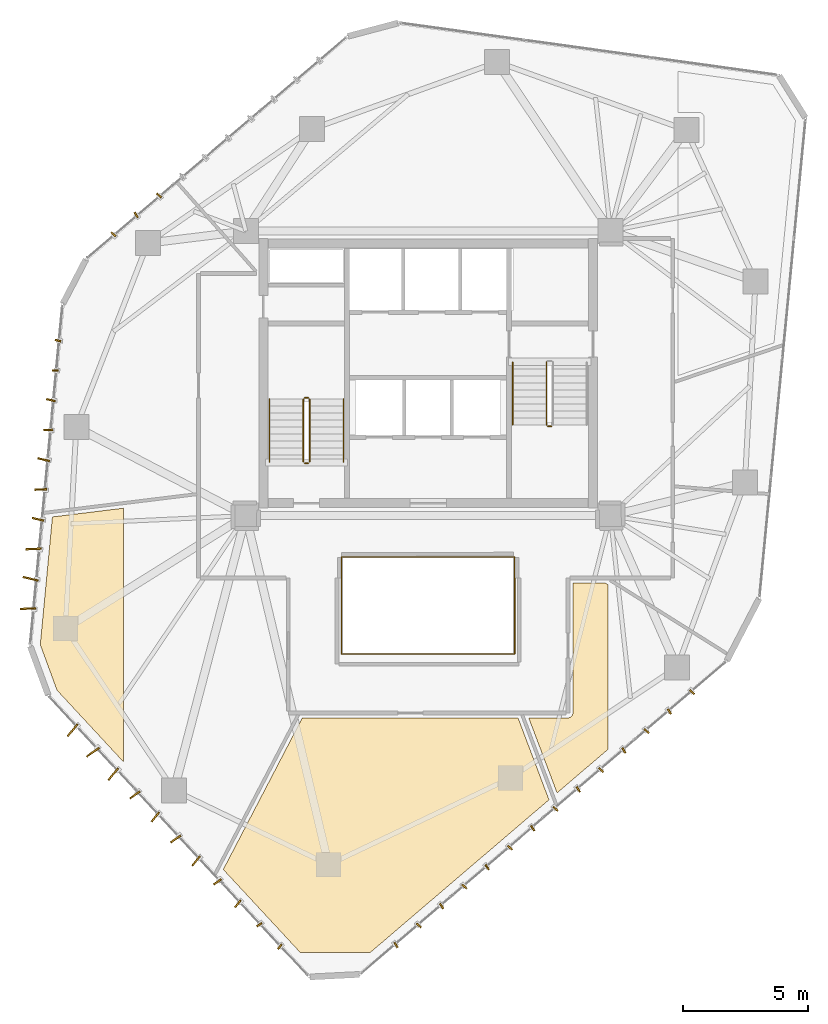
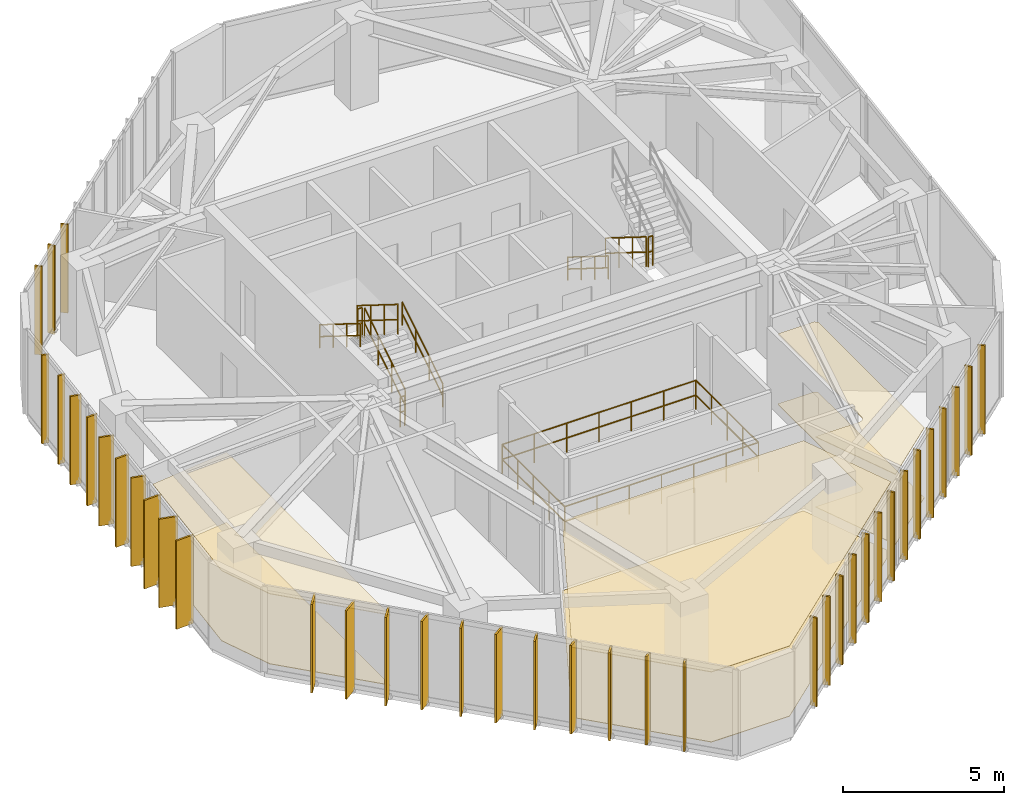
# One storey, part 19 of 20: 38 shading devices, 13 railings, 6 coverings.
"""IFC4 building model written with IfcOpenShell, lengths in metres."""

import ifcopenshell
import ifcopenshell.guid

model = None  # the IFC model being written
_history = None  # IfcOwnerHistory: only IFC2X3 demands one
_inside = {}  # id of a spatial element -> (the spatial element, [elements in it])
_under = {}  # id of a project, library or spatial element -> (it, [spatial elements below it])
_declared = {}  # id of a project -> (the project, [libraries it declares])
_typed = {}  # id of a type object -> (the type object, [elements of that type])
_made_of = {}  # id of a material, layer set ... -> (it, [elements and type objects made of it])


def new_model(schema):
    """Start an empty IFC model of exactly this schema.

    Asked for "IFC4X3", IfcOpenShell would pick the latest addendum, in which some entities
    have other attributes; the version numbers below select the first issue.
    IFC2X3 requires an IfcOwnerHistory on every rooted entity: one is made here for all.
    """
    global model, _history
    if schema == "IFC4X3":
        model = ifcopenshell.file(schema_version=(4, 3, 0, 0))
    else:
        model = ifcopenshell.file(schema=schema)
    _inside.clear()
    _under.clear()
    _declared.clear()
    _typed.clear()
    _made_of.clear()
    _history = None
    if model.schema == "IFC2X3":
        org = make("IfcOrganization", Name="unknown")
        user = make(
            "IfcPersonAndOrganization",
            ThePerson=make("IfcPerson", FamilyName="unknown"),
            TheOrganization=org,
        )
        app = make(
            "IfcApplication",
            ApplicationDeveloper=org,
            Version="unknown",
            ApplicationFullName="unknown",
            ApplicationIdentifier="unknown",
        )
        _history = make(
            "IfcOwnerHistory",
            OwningUser=user,
            OwningApplication=app,
            ChangeAction="ADDED",
            CreationDate=0,
        )
    return model


def make(cls, **values):
    """One entity of the class cls with the attributes given. An attribute that is None is left unset."""
    return model.create_entity(
        cls, **{name: value for name, value in values.items() if value is not None}
    )


def rooted(cls, **values):
    """An entity with a GlobalId (a new one), such as an element, a storey or a relation."""
    return make(cls, GlobalId=ifcopenshell.guid.new(), OwnerHistory=_history, **values)


def si_unit(unit_type, name, prefix=None):
    """IfcSIUnit, for example si_unit("LENGTHUNIT", "METRE", prefix="MILLI")."""
    return make("IfcSIUnit", UnitType=unit_type, Prefix=prefix, Name=name)


def assignment(units):
    """IfcUnitAssignment: the units of a project."""
    return None if units is None else make("IfcUnitAssignment", Units=units)


def point(xyz):
    """IfcCartesianPoint."""
    return None if xyz is None else make("IfcCartesianPoint", Coordinates=xyz)


def direction(xyz):
    """IfcDirection."""
    return None if xyz is None else make("IfcDirection", DirectionRatios=xyz)


def frame(location, z_axis=None, x_axis=None):
    """IfcAxis2Placement3D, a coordinate frame: its origin and axes. An axis left out is left unset."""
    return make(
        "IfcAxis2Placement3D",
        Location=point(location),
        Axis=direction(z_axis),
        RefDirection=direction(x_axis),
    )


def frame_2d(location, x_axis=None):
    """IfcAxis2Placement2D, a coordinate frame in the plane: its origin and x axis."""
    return make(
        "IfcAxis2Placement2D", Location=point(location), RefDirection=direction(x_axis)
    )


def origin():
    """The frame at (0, 0, 0) with its axes left unset."""
    return frame((0.0, 0.0, 0.0))


def origin_2d():
    """The frame at (0, 0) in the plane with its x axis left unset."""
    return frame_2d((0.0, 0.0))


def place(relative_to, where):
    """IfcLocalPlacement: puts the frame where relative to a parent placement (None: the world)."""
    return make(
        "IfcLocalPlacement", PlacementRelTo=relative_to, RelativePlacement=where
    )


def context(
    kind, dimensions, precision=None, world=None, true_north=None, identifier=None
):
    """IfcGeometricRepresentationContext, for example the 3D "Model" context."""
    return make(
        "IfcGeometricRepresentationContext",
        ContextIdentifier=identifier,
        ContextType=kind,
        CoordinateSpaceDimension=dimensions,
        Precision=precision,
        WorldCoordinateSystem=world,
        TrueNorth=true_north,
    )


def subcontext(parent, identifier, kind, view, scale=None):
    """IfcGeometricRepresentationSubContext, for example "Body" below "Model"."""
    return make(
        "IfcGeometricRepresentationSubContext",
        ContextIdentifier=identifier,
        ContextType=kind,
        ParentContext=parent,
        TargetScale=scale,
        TargetView=view,
    )


def project(units=None, contexts=None):
    """IfcProject with its units and contexts."""
    return rooted(
        "IfcProject",
        Name="project",
        RepresentationContexts=contexts,
        UnitsInContext=assignment(units),
    )


def spatial(cls, under=None, at=None, **own):
    """A site, building, storey or space (cls), placed at a placement, below another one or the project."""
    s = rooted(cls, ObjectPlacement=at, **own)
    if under is not None:
        _under.setdefault(under.id(), (under, []))[1].append(s)
    return s


def polyline(points):
    """IfcPolyline through the points."""
    return make("IfcPolyline", Points=[point(p) for p in points])


def profile(cls, at=None, kind="AREA", **sizes):
    """A parametric profile (cls). Its sizes go by their IFC names, for example OverallWidth=200.0."""
    return make(cls, ProfileType=kind, Position=at, **sizes)


def rectangle(**sizes):
    """IfcRectangleProfileDef."""
    return profile("IfcRectangleProfileDef", **sizes)


def circle(**sizes):
    """IfcCircleProfileDef."""
    return profile("IfcCircleProfileDef", **sizes)


def outline(outer, holes=None, kind="AREA"):
    """IfcArbitraryClosedProfileDef: a profile drawn as a closed curve; with holes, ...WithVoids."""
    if holes is None:
        return make("IfcArbitraryClosedProfileDef", ProfileType=kind, OuterCurve=outer)
    return make(
        "IfcArbitraryProfileDefWithVoids",
        ProfileType=kind,
        OuterCurve=outer,
        InnerCurves=holes,
    )


def extrude(swept, where, along, depth):
    """IfcExtrudedAreaSolid: the profile swept, set in the frame where, extruded along a direction by depth."""
    return make(
        "IfcExtrudedAreaSolid",
        SweptArea=swept,
        Position=where,
        ExtrudedDirection=direction(along),
        Depth=depth,
    )


def shape(context_of_items, identifier, shape_type, items):
    """IfcShapeRepresentation: the items that make up one representation, for example the "Body"."""
    return make(
        "IfcShapeRepresentation",
        ContextOfItems=context_of_items,
        RepresentationIdentifier=identifier,
        RepresentationType=shape_type,
        Items=items,
    )


def source(mapping_origin, context_of_items, identifier, shape_type, items):
    """IfcRepresentationMap: a shape defined once, which mapped items show again and again."""
    return make(
        "IfcRepresentationMap",
        MappingOrigin=mapping_origin,
        MappedRepresentation=shape(context_of_items, identifier, shape_type, items),
    )


def transform(
    local_origin,
    x_axis=None,
    y_axis=None,
    z_axis=None,
    scale=None,
    scale2=None,
    scale3=None,
    uniform=True,
):
    """IfcCartesianTransformationOperator3D, or its non-uniform kind. x_axis, y_axis, z_axis: its Axis1, 2, 3."""
    if uniform:
        return make(
            "IfcCartesianTransformationOperator3D",
            Axis1=direction(x_axis),
            Axis2=direction(y_axis),
            LocalOrigin=point(local_origin),
            Scale=scale,
            Axis3=direction(z_axis),
        )
    return make(
        "IfcCartesianTransformationOperator3DnonUniform",
        Axis1=direction(x_axis),
        Axis2=direction(y_axis),
        LocalOrigin=point(local_origin),
        Scale=scale,
        Axis3=direction(z_axis),
        Scale2=scale2,
        Scale3=scale3,
    )


def mapped(mapping_source, mapping_target):
    """IfcMappedItem: shows the shape of a source again, moved by a transform."""
    return make(
        "IfcMappedItem", MappingSource=mapping_source, MappingTarget=mapping_target
    )


def material(Name=None, Category=None):
    """IfcMaterial."""
    return make("IfcMaterial", Name=Name, Category=Category)


def layer(
    of_material, thickness, ventilated=None, Name=None, Category=None, Priority=None
):
    """IfcMaterialLayer: one layer of a wall or slab, of a material (None: an air gap)."""
    return make(
        "IfcMaterialLayer",
        Material=of_material,
        LayerThickness=thickness,
        IsVentilated=ventilated,
        Name=Name,
        Category=Category,
        Priority=Priority,
    )


def layer_set(layers, Name=None):
    """IfcMaterialLayerSet."""
    return make("IfcMaterialLayerSet", MaterialLayers=layers, LayerSetName=Name)


def made_of(thing, what):
    """Note that an element or type object is made of a material, layer set ...; save() writes the relation."""
    if what is not None:
        _made_of.setdefault(what.id(), (what, []))[1].append(thing)
    return thing


def type_object(cls, material=None, **own):
    """A type object (cls), such as IfcWallType, which elements share."""
    return made_of(rooted(cls, **own), material)


def type_shapes(of_type, sources):
    """Give a type object the sources (RepresentationMaps) that its elements show as mapped items."""
    of_type.RepresentationMaps = sources


def element(
    cls,
    number,
    at=None,
    inside=None,
    cuts=None,
    type_object=None,
    material=None,
    context=None,
    identifier="Body",
    shape_type=None,
    held_by="IfcProductDefinitionShape",
    body=None,
    shapes=None,
    **own,
):
    """One element of the class cls, such as IfcWall. Its Tag is "e" and its number.

    at: its placement. inside: the storey or other place that contains it. cuts: it is an
    opening in that element (IfcRelVoidsElement). A single representation is given by context,
    identifier, shape_type and body (its items); several are given by shapes. held_by: the class
    of the entity that holds the representations. save() writes the other relations.
    """
    e = rooted(cls, Tag="e%d" % number, ObjectPlacement=at, **own)
    if body is not None:
        shapes = [shape(context, identifier, shape_type, body)]
    if shapes is not None:
        e.Representation = make(held_by, Representations=shapes)
    if inside is not None:
        _inside.setdefault(inside.id(), (inside, []))[1].append(e)
    if cuts is not None:
        rooted(
            "IfcRelVoidsElement", RelatingBuildingElement=cuts, RelatedOpeningElement=e
        )
    if type_object is not None:
        _typed.setdefault(type_object.id(), (type_object, []))[1].append(e)
    return made_of(e, material)


def aggregate(whole, parts):
    """IfcRelAggregates: a whole, such as a stair, and the parts it consists of."""
    return rooted("IfcRelAggregates", RelatingObject=whole, RelatedObjects=parts)


def save(model, path):
    """Write the relations noted so far, then the file.

    IfcRelAggregates (storeys below a building ...), IfcRelContainedInSpatialStructure (elements
    in a storey), IfcRelDefinesByType, IfcRelAssociatesMaterial and IfcRelDeclares: one each for
    every whole, place, type object, material and project.
    """
    for whole, parts in _under.values():
        aggregate(whole, parts)
    for where, things in _inside.values():
        rooted(
            "IfcRelContainedInSpatialStructure",
            RelatedElements=things,
            RelatingStructure=where,
        )
    for kind, things in _typed.values():
        rooted("IfcRelDefinesByType", RelatedObjects=things, RelatingType=kind)
    for what, things in _made_of.values():
        rooted("IfcRelAssociatesMaterial", RelatedObjects=things, RelatingMaterial=what)
    for by, libraries in _declared.values():
        rooted("IfcRelDeclares", RelatingContext=by, RelatedDefinitions=libraries)
    model.write(path)


model = new_model("IFC4")

# Units and contexts
model_context = context("Model", 3, precision=1e-05, world=origin(), true_north=direction((0.0, 1.0)))
body_context = subcontext(model_context, "Body", "Model", "MODEL_VIEW")
ifc_project = project(units=[si_unit("LENGTHUNIT", "METRE"), si_unit("AREAUNIT", "SQUARE_METRE"), si_unit("VOLUMEUNIT", "CUBIC_METRE"), si_unit("PLANEANGLEUNIT", "RADIAN"), si_unit("MASSUNIT", "GRAM", prefix="KILO")], contexts=[model_context])

# Site, building, storey
site_placement = place(None, origin())
site = spatial("IfcSite", under=ifc_project, at=site_placement, CompositionType="ELEMENT")
building_placement = place(site_placement, origin())
building = spatial("IfcBuilding", under=site, at=building_placement, Name="Talar Marvaseh", CompositionType="ELEMENT")
storey_placement = place(building_placement, frame((0.0, 0.0, 211.699951171875)))
storey = spatial("IfcBuildingStorey", under=building, at=storey_placement, Name="L55", CompositionType="ELEMENT", Elevation=211.699951171875)

# Railings
ifc_material_1 = material(Name="Stainless Steel Grade 316", Category="steel")
railing_type_1 = type_object("IfcRailingType", Name="Brushed Stainless Wall Pitch Handrail 900", PredefinedType="HANDRAIL", material=ifc_material_1)
railing_1_placement = place(storey_placement, frame((22.610107421875, 27.64990234375, 0.175048828125)))
element("IfcRailing", 1, at=railing_1_placement, inside=storey, type_object=railing_type_1, Name="L55 ST-1 stair handrail 1", PredefinedType="HANDRAIL", context=body_context, shape_type="SweptSolid", body=[
    extrude(circle(Radius=0.02392578125, at=origin_2d()), frame((0.0, 0.0, 0.8759765625), z_axis=(0.0, 0.848007534815, 0.529984170421), x_axis=(-1.0, 0.0, 0.0)), (0.0, 0.0, 1.0), 2.9716796875),
    extrude(circle(Radius=0.02392578125, at=origin_2d()), frame((0.0, 0.0, 0.42578125), z_axis=(0.0, 0.848007534815, 0.529984170421), x_axis=(-1.0, 0.0, 0.0)), (0.0, 0.0, 1.0), 2.9716796875),
    extrude(circle(Radius=0.02099609375, at=origin_2d()), origin(), (0.0, 0.0, 1.0), 0.851806640625),
    extrude(circle(Radius=0.02099609375, at=origin_2d()), frame((0.0, 0.840087890625, 0.52490234375)), (0.0, 0.0, 1.0), 0.851806640625),
    extrude(circle(Radius=0.02099609375, at=origin_2d()), frame((0.0, 1.679931640625, 1.050048828125)), (0.0, 0.0, 1.0), 0.851806640625),
    extrude(circle(Radius=0.02099609375, at=origin_2d()), frame((0.0, 2.52001953125, 1.574951171875)), (0.0, 0.0, 1.0), 0.851806640625),
])
for number, where, name in (
    (2, (19.64990234375, 30.169921875, 1.925048828125), "L55 ST-1 stair handrail 2"),
    (3, (29.389892578125, 31.64990234375, 0.175048828125), "L55 ST-2 stair handrail 1"),
):
    element("IfcRailing", number, at=place(storey_placement, frame(where)), inside=storey, type_object=railing_type_1, Name=name, PredefinedType="HANDRAIL", context=body_context, shape_type="SweptSolid", body=[
        extrude(circle(Radius=0.02392578125, at=origin_2d()), frame((0.0, 0.0, 0.8759765625), z_axis=(0.0, -0.848007534815, 0.529984170421), x_axis=(1.0, 0.0, 0.0)), (0.0, 0.0, 1.0), 2.9716796875),
        extrude(circle(Radius=0.02392578125, at=origin_2d()), frame((0.0, 0.0, 0.42578125), z_axis=(0.0, -0.848007534815, 0.529984170421), x_axis=(1.0, 0.0, 0.0)), (0.0, 0.0, 1.0), 2.9716796875),
        extrude(circle(Radius=0.02099609375, at=origin_2d()), origin(), (0.0, 0.0, 1.0), 0.851806640625),
        extrude(circle(Radius=0.02099609375, at=origin_2d()), frame((0.0, -0.840087890625, 0.52490234375)), (0.0, 0.0, 1.0), 0.851806640625),
        extrude(circle(Radius=0.02099609375, at=origin_2d()), frame((0.0, -1.679931640625, 1.050048828125)), (0.0, 0.0, 1.0), 0.851806640625),
        extrude(circle(Radius=0.02099609375, at=origin_2d()), frame((0.0, -2.52001953125, 1.574951171875)), (0.0, 0.0, 1.0), 0.851806640625),
    ])
ifc_material_2 = material(Name="Tempered Clear Glass", Category="glass")
railing_type_2 = type_object("IfcRailingType", Name="Interior Atrium Edge Balustrade 1120", PredefinedType="BALUSTRADE", material=ifc_material_2)
railing_2_placement = place(storey_placement, frame((22.5302734375, 19.9609375, 0.0)))
element("IfcRailing", 4, at=railing_2_placement, inside=storey, type_object=railing_type_2, Name="L55 Internal Daylight Atrium Balustrade 1", PredefinedType="BALUSTRADE", context=body_context, shape_type="SweptSolid", body=[
    extrude(circle(Radius=0.02392578125, at=origin_2d()), frame((0.0, 0.0, 1.09619140625), z_axis=(1.0, 0.0, 0.0), x_axis=(0.0, 1.0, 0.0)), (0.0, 0.0, 1.0), 6.939453125),
    extrude(circle(Radius=0.02392578125, at=origin_2d()), frame((0.0, 0.0, 0.5361328125), z_axis=(1.0, 0.0, 0.0), x_axis=(0.0, 1.0, 0.0)), (0.0, 0.0, 1.0), 6.939453125),
    extrude(circle(Radius=0.02099609375, at=origin_2d()), origin(), (0.0, 0.0, 1.0), 1.072021484375),
    extrude(circle(Radius=0.02099609375, at=origin_2d()), frame((1.156494140625, 0.0, 0.0)), (0.0, 0.0, 1.0), 1.072021484375),
    extrude(circle(Radius=0.02099609375, at=origin_2d()), frame((2.313232421875, 0.0, 0.0)), (0.0, 0.0, 1.0), 1.072021484375),
    extrude(circle(Radius=0.02099609375, at=origin_2d()), frame((3.4697265625, 0.0, 0.0)), (0.0, 0.0, 1.0), 1.072021484375),
    extrude(circle(Radius=0.02099609375, at=origin_2d()), frame((4.626220703125, 0.0, 0.0)), (0.0, 0.0, 1.0), 1.072021484375),
    extrude(circle(Radius=0.02099609375, at=origin_2d()), frame((5.782958984375, 0.0, 0.0)), (0.0, 0.0, 1.0), 1.072021484375),
    extrude(circle(Radius=0.02099609375, at=origin_2d()), frame((6.939453125, 0.0, 0.0)), (0.0, 0.0, 1.0), 1.072021484375),
])
railing_3_placement = place(storey_placement, frame((29.4697265625, 19.9609375, 0.0)))
element("IfcRailing", 5, at=railing_3_placement, inside=storey, type_object=railing_type_2, Name="L55 Internal Daylight Atrium Balustrade 2", PredefinedType="BALUSTRADE", context=body_context, shape_type="SweptSolid", body=[
    extrude(circle(Radius=0.02392578125, at=origin_2d()), frame((0.0, 0.0, 1.09619140625), z_axis=(0.0, 1.0, 0.0), x_axis=(-1.0, 0.0, 0.0)), (0.0, 0.0, 1.0), 3.878173828125),
    extrude(circle(Radius=0.02392578125, at=origin_2d()), frame((0.0, 0.0, 0.5361328125), z_axis=(0.0, 1.0, 0.0), x_axis=(-1.0, 0.0, 0.0)), (0.0, 0.0, 1.0), 3.878173828125),
    extrude(circle(Radius=0.02099609375, at=origin_2d()), origin(), (0.0, 0.0, 1.0), 1.072021484375),
    extrude(circle(Radius=0.02099609375, at=origin_2d()), frame((0.0, 0.969482421875, 0.0)), (0.0, 0.0, 1.0), 1.072021484375),
    extrude(circle(Radius=0.02099609375, at=origin_2d()), frame((0.0, 1.93896484375, 0.0)), (0.0, 0.0, 1.0), 1.072021484375),
    extrude(circle(Radius=0.02099609375, at=origin_2d()), frame((0.0, 2.90869140625, 0.0)), (0.0, 0.0, 1.0), 1.072021484375),
    extrude(circle(Radius=0.02099609375, at=origin_2d()), frame((0.0, 3.878173828125, 0.0)), (0.0, 0.0, 1.0), 1.072021484375),
])
railing_4_placement = place(storey_placement, frame((29.4697265625, 23.839111328125, 0.0)))
element("IfcRailing", 6, at=railing_4_placement, inside=storey, type_object=railing_type_2, Name="L55 Internal Daylight Atrium Balustrade 3", PredefinedType="BALUSTRADE", context=body_context, shape_type="SweptSolid", body=[
    extrude(circle(Radius=0.02392578125, at=origin_2d()), frame((0.0, 0.0, 1.09619140625), z_axis=(-1.0, 0.0, 0.0), x_axis=(0.0, -1.0, 0.0)), (0.0, 0.0, 1.0), 6.939453125),
    extrude(circle(Radius=0.02392578125, at=origin_2d()), frame((0.0, 0.0, 0.5361328125), z_axis=(-1.0, 0.0, 0.0), x_axis=(0.0, -1.0, 0.0)), (0.0, 0.0, 1.0), 6.939453125),
    extrude(circle(Radius=0.02099609375, at=origin_2d()), origin(), (0.0, 0.0, 1.0), 1.072021484375),
    extrude(circle(Radius=0.02099609375, at=origin_2d()), frame((-1.156494140625, 0.0, 0.0)), (0.0, 0.0, 1.0), 1.072021484375),
    extrude(circle(Radius=0.02099609375, at=origin_2d()), frame((-2.313232421875, 0.0, 0.0)), (0.0, 0.0, 1.0), 1.072021484375),
    extrude(circle(Radius=0.02099609375, at=origin_2d()), frame((-3.4697265625, 0.0, 0.0)), (0.0, 0.0, 1.0), 1.072021484375),
    extrude(circle(Radius=0.02099609375, at=origin_2d()), frame((-4.626220703125, 0.0, 0.0)), (0.0, 0.0, 1.0), 1.072021484375),
    extrude(circle(Radius=0.02099609375, at=origin_2d()), frame((-5.782958984375, 0.0, 0.0)), (0.0, 0.0, 1.0), 1.072021484375),
    extrude(circle(Radius=0.02099609375, at=origin_2d()), frame((-6.939453125, 0.0, 0.0)), (0.0, 0.0, 1.0), 1.072021484375),
])
railing_5_placement = place(storey_placement, frame((22.5302734375, 23.839111328125, 0.0)))
element("IfcRailing", 7, at=railing_5_placement, inside=storey, type_object=railing_type_2, Name="L55 Internal Daylight Atrium Balustrade 4", PredefinedType="BALUSTRADE", context=body_context, shape_type="SweptSolid", body=[
    extrude(circle(Radius=0.02392578125, at=origin_2d()), frame((0.0, 0.0, 1.09619140625), z_axis=(0.0, -1.0, 0.0), x_axis=(1.0, 0.0, 0.0)), (0.0, 0.0, 1.0), 3.878173828125),
    extrude(circle(Radius=0.02392578125, at=origin_2d()), frame((0.0, 0.0, 0.5361328125), z_axis=(0.0, -1.0, 0.0), x_axis=(1.0, 0.0, 0.0)), (0.0, 0.0, 1.0), 3.878173828125),
    extrude(circle(Radius=0.02099609375, at=origin_2d()), origin(), (0.0, 0.0, 1.0), 1.072021484375),
    extrude(circle(Radius=0.02099609375, at=origin_2d()), frame((0.0, -0.969482421875, 0.0)), (0.0, 0.0, 1.0), 1.072021484375),
    extrude(circle(Radius=0.02099609375, at=origin_2d()), frame((0.0, -1.93896484375, 0.0)), (0.0, 0.0, 1.0), 1.072021484375),
    extrude(circle(Radius=0.02099609375, at=origin_2d()), frame((0.0, -2.90869140625, 0.0)), (0.0, 0.0, 1.0), 1.072021484375),
    extrude(circle(Radius=0.02099609375, at=origin_2d()), frame((0.0, -3.878173828125, 0.0)), (0.0, 0.0, 1.0), 1.072021484375),
])
railing_type_3 = type_object("IfcRailingType", Name="Painted Steel Core Stair Well Guardrail 1150", PredefinedType="GUARDRAIL", material=ifc_material_1)
railing_6_placement = place(storey_placement, frame((21.260009765625, 27.64990234375, 0.175048828125)))
element("IfcRailing", 8, at=railing_6_placement, inside=storey, type_object=railing_type_3, Name="L55 ST-1 stair guard 1", PredefinedType="GUARDRAIL", context=body_context, shape_type="SweptSolid", body=[
    extrude(circle(Radius=0.02392578125, at=origin_2d()), frame((0.0, 0.0, 1.1259765625), z_axis=(0.0, 0.848007534815, 0.529984170421), x_axis=(-1.0, 0.0, 0.0)), (0.0, 0.0, 1.0), 2.9716796875),
    extrude(circle(Radius=0.02392578125, at=origin_2d()), frame((0.0, 0.0, 0.55078125), z_axis=(0.0, 0.848007534815, 0.529984170421), x_axis=(-1.0, 0.0, 0.0)), (0.0, 0.0, 1.0), 2.9716796875),
    extrude(circle(Radius=0.02099609375, at=origin_2d()), origin(), (0.0, 0.0, 1.0), 1.101806640625),
    extrude(circle(Radius=0.02099609375, at=origin_2d()), frame((0.0, 0.840087890625, 0.52490234375)), (0.0, 0.0, 1.0), 1.101806640625),
    extrude(circle(Radius=0.02099609375, at=origin_2d()), frame((0.0, 1.679931640625, 1.050048828125)), (0.0, 0.0, 1.0), 1.101806640625),
    extrude(circle(Radius=0.02099609375, at=origin_2d()), frame((0.0, 2.52001953125, 1.574951171875)), (0.0, 0.0, 1.0), 1.101806640625),
])
railing_7_placement = place(storey_placement, frame((21.2099609375, 30.219970703125, 1.75)))
element("IfcRailing", 9, at=railing_7_placement, inside=storey, type_object=railing_type_3, Name="L55 ST-1 stair guard 2", PredefinedType="GUARDRAIL", context=body_context, shape_type="SweptSolid", body=[
    extrude(circle(Radius=0.02392578125, at=origin_2d()), frame((0.0, 0.0, 1.1259765625), z_axis=(-1.0, 0.0, 0.0), x_axis=(0.0, -1.0, 0.0)), (0.0, 0.0, 1.0), 0.159912109375),
    extrude(circle(Radius=0.02392578125, at=origin_2d()), frame((0.0, 0.0, 0.55078125), z_axis=(-1.0, 0.0, 0.0), x_axis=(0.0, -1.0, 0.0)), (0.0, 0.0, 1.0), 0.159912109375),
    extrude(circle(Radius=0.02099609375, at=origin_2d()), origin(), (0.0, 0.0, 1.0), 1.101806640625),
    extrude(circle(Radius=0.02099609375, at=origin_2d()), frame((-0.159912109375, 0.0, 0.0)), (0.0, 0.0, 1.0), 1.101806640625),
])
railing_8_placement = place(storey_placement, frame((21.0, 30.169921875, 1.925048828125)))
element("IfcRailing", 10, at=railing_8_placement, inside=storey, type_object=railing_type_3, Name="L55 ST-1 stair guard 3", PredefinedType="GUARDRAIL", context=body_context, shape_type="SweptSolid", body=[
    extrude(circle(Radius=0.02392578125, at=origin_2d()), frame((0.0, 0.0, 1.1259765625), z_axis=(0.0, -0.848007534815, 0.529984170421), x_axis=(1.0, 0.0, 0.0)), (0.0, 0.0, 1.0), 2.9716796875),
    extrude(circle(Radius=0.02392578125, at=origin_2d()), frame((0.0, 0.0, 0.55078125), z_axis=(0.0, -0.848007534815, 0.529984170421), x_axis=(1.0, 0.0, 0.0)), (0.0, 0.0, 1.0), 2.9716796875),
    extrude(circle(Radius=0.02099609375, at=origin_2d()), origin(), (0.0, 0.0, 1.0), 1.101806640625),
    extrude(circle(Radius=0.02099609375, at=origin_2d()), frame((0.0, -0.840087890625, 0.52490234375)), (0.0, 0.0, 1.0), 1.101806640625),
    extrude(circle(Radius=0.02099609375, at=origin_2d()), frame((0.0, -1.679931640625, 1.050048828125)), (0.0, 0.0, 1.0), 1.101806640625),
    extrude(circle(Radius=0.02099609375, at=origin_2d()), frame((0.0, -2.52001953125, 1.574951171875)), (0.0, 0.0, 1.0), 1.101806640625),
])
railing_9_placement = place(storey_placement, frame((21.2099609375, 27.60009765625, 0.0)))
element("IfcRailing", 11, at=railing_9_placement, inside=storey, type_object=railing_type_3, Name="L55 ST-1 stair guard 4", PredefinedType="GUARDRAIL", context=body_context, shape_type="SweptSolid", body=[
    extrude(circle(Radius=0.02392578125, at=origin_2d()), frame((0.0, 0.0, 1.1259765625), z_axis=(-1.0, 0.0, 0.0), x_axis=(0.0, -1.0, 0.0)), (0.0, 0.0, 1.0), 0.159912109375),
    extrude(circle(Radius=0.02392578125, at=origin_2d()), frame((0.0, 0.0, 0.55078125), z_axis=(-1.0, 0.0, 0.0), x_axis=(0.0, -1.0, 0.0)), (0.0, 0.0, 1.0), 0.159912109375),
    extrude(circle(Radius=0.02099609375, at=origin_2d()), origin(), (0.0, 0.0, 1.0), 1.101806640625),
    extrude(circle(Radius=0.02099609375, at=origin_2d()), frame((-0.159912109375, 0.0, 0.0)), (0.0, 0.0, 1.0), 1.101806640625),
])
railing_10_placement = place(storey_placement, frame((30.739990234375, 31.64990234375, 0.175048828125)))
element("IfcRailing", 12, at=railing_10_placement, inside=storey, type_object=railing_type_3, Name="L55 ST-2 stair guard 1", PredefinedType="GUARDRAIL", context=body_context, shape_type="SweptSolid", body=[
    extrude(circle(Radius=0.02392578125, at=origin_2d()), frame((0.0, 0.0, 1.1259765625), z_axis=(0.0, -0.848007534815, 0.529984170421), x_axis=(1.0, 0.0, 0.0)), (0.0, 0.0, 1.0), 2.9716796875),
    extrude(circle(Radius=0.02392578125, at=origin_2d()), frame((0.0, 0.0, 0.55078125), z_axis=(0.0, -0.848007534815, 0.529984170421), x_axis=(1.0, 0.0, 0.0)), (0.0, 0.0, 1.0), 2.9716796875),
    extrude(circle(Radius=0.02099609375, at=origin_2d()), origin(), (0.0, 0.0, 1.0), 1.101806640625),
    extrude(circle(Radius=0.02099609375, at=origin_2d()), frame((0.0, -0.840087890625, 0.52490234375)), (0.0, 0.0, 1.0), 1.101806640625),
    extrude(circle(Radius=0.02099609375, at=origin_2d()), frame((0.0, -1.679931640625, 1.050048828125)), (0.0, 0.0, 1.0), 1.101806640625),
    extrude(circle(Radius=0.02099609375, at=origin_2d()), frame((0.0, -2.52001953125, 1.574951171875)), (0.0, 0.0, 1.0), 1.101806640625),
])
railing_11_placement = place(storey_placement, frame((30.7900390625, 29.080078125, 1.75)))
element("IfcRailing", 13, at=railing_11_placement, inside=storey, type_object=railing_type_3, Name="L55 ST-2 stair guard 2", PredefinedType="GUARDRAIL", context=body_context, shape_type="SweptSolid", body=[
    extrude(circle(Radius=0.02392578125, at=origin_2d()), frame((0.0, 0.0, 1.1259765625), z_axis=(1.0, 0.0, 0.0), x_axis=(0.0, 1.0, 0.0)), (0.0, 0.0, 1.0), 0.159912109375),
    extrude(circle(Radius=0.02392578125, at=origin_2d()), frame((0.0, 0.0, 0.55078125), z_axis=(1.0, 0.0, 0.0), x_axis=(0.0, 1.0, 0.0)), (0.0, 0.0, 1.0), 0.159912109375),
    extrude(circle(Radius=0.02099609375, at=origin_2d()), origin(), (0.0, 0.0, 1.0), 1.101806640625),
    extrude(circle(Radius=0.02099609375, at=origin_2d()), frame((0.159912109375, 0.0, 0.0)), (0.0, 0.0, 1.0), 1.101806640625),
])

# Coverings
ifc_material_3 = material(Name="Mineral Fibre Acoustic Ceiling")
ifc_layer_1 = layer(ifc_material_3, 0.02490234375)
ifc_layer_set_1 = layer_set([ifc_layer_1], Name="Mineral Fibre Acoustic Ceiling")
covering_type_1 = type_object("IfcCoveringType", Name="Perforated Mineral Fibre Acoustic Suspended Ceiling", PredefinedType="CEILING", material=ifc_layer_set_1)
covering_1_placement = place(storey_placement, frame((0.0, 0.0, 2.650146484375)))
element("IfcCovering", 14, at=covering_1_placement, inside=storey, type_object=covering_type_1, Name="L55 Gallery Concierge Reception Acoustic Ceiling", PredefinedType="CEILING", context=body_context, shape_type="SweptSolid", body=[
    extrude(outline(polyline([(13.800048828125, 25.800537109375), (13.800048828125, 15.63720703125), (11.13525390625, 18.510498046875), (10.466552734375, 20.3349609375), (10.952880859375, 25.450927734375), (13.800048828125, 25.800537109375)])), origin(), (0.0, 0.0, 1.0), 0.02490234375),
])
covering_2_placement = place(storey_placement, frame((0.0, 0.0, 2.650146484375)))
element("IfcCovering", 15, at=covering_2_placement, inside=storey, type_object=covering_type_1, Name="L55 Museum Publication Bookshop Acoustic Ceiling", PredefinedType="CEILING", context=body_context, shape_type="SweptSolid", body=[
    extrude(outline(polyline([(20.960693359375, 17.39990234375), (29.602294921875, 17.39990234375), (30.84130859375, 14.12060546875), (23.67724609375, 8.0), (20.8837890625, 8.0), (17.7958984375, 11.328857421875), (20.960693359375, 17.39990234375)])), origin(), (0.0, 0.0, 1.0), 0.02490234375),
])
covering_3_placement = place(storey_placement, frame((0.0, 0.0, 2.650146484375)))
element("IfcCovering", 16, at=covering_3_placement, inside=storey, type_object=covering_type_1, Name="L55 Visitor Orientation Foyer Acoustic Ceiling", PredefinedType="CEILING", context=body_context, shape_type="SweptSolid", body=[
    extrude(outline(polyline([(31.60009765625, 17.39990234375), (31.61962890625, 17.40087890625), (31.638916015625, 17.40380859375), (31.658203125, 17.40869140625), (31.676513671875, 17.415283203125), (31.6943359375, 17.423583984375), (31.711181640625, 17.43359375), (31.726806640625, 17.4453125), (31.741455078125, 17.45849609375), (31.754638671875, 17.47314453125), (31.766357421875, 17.489013671875), (31.7763671875, 17.505615234375), (31.784912109375, 17.5234375), (31.79150390625, 17.5419921875), (31.796142578125, 17.56103515625), (31.799072265625, 17.580322265625), (31.800048828125, 17.60009765625), (31.800048828125, 22.800048828125), (33.099365234375, 22.800048828125), (33.199951171875, 22.73681640625), (33.199951171875, 16.1357421875), (31.164794921875, 14.396728515625), (30.030029296875, 17.39990234375), (31.60009765625, 17.39990234375)])), origin(), (0.0, 0.0, 1.0), 0.02490234375),
])
ifc_material_4 = material(Name="Porcelain Stoneware Tile", Category="masonry")
ifc_layer_2 = layer(ifc_material_4, 0.02001953125)
ifc_layer_set_2 = layer_set([ifc_layer_2], Name="Porcelain Stoneware Tile")
covering_type_2 = type_object("IfcCoveringType", Name="Polished Porcelain Stoneware Gallery Flooring", PredefinedType="FLOORING", material=ifc_layer_set_2)
covering_4_placement = place(storey_placement, origin())
element("IfcCovering", 17, at=covering_4_placement, inside=storey, type_object=covering_type_2, Name="L55 Gallery Concierge Reception Flooring", PredefinedType="FLOORING", context=body_context, shape_type="SweptSolid", body=[
    extrude(outline(polyline([(13.800048828125, 25.800537109375), (13.800048828125, 15.63720703125), (11.13525390625, 18.510498046875), (10.466552734375, 20.3349609375), (10.952880859375, 25.450927734375), (13.800048828125, 25.800537109375)])), origin(), (0.0, 0.0, 1.0), 0.02001953125),
])
covering_5_placement = place(storey_placement, origin())
element("IfcCovering", 18, at=covering_5_placement, inside=storey, type_object=covering_type_2, Name="L55 Museum Publication Bookshop Flooring", PredefinedType="FLOORING", context=body_context, shape_type="SweptSolid", body=[
    extrude(outline(polyline([(20.960693359375, 17.39990234375), (29.602294921875, 17.39990234375), (30.84130859375, 14.12060546875), (23.67724609375, 8.0), (20.8837890625, 8.0), (17.7958984375, 11.328857421875), (20.960693359375, 17.39990234375)])), origin(), (0.0, 0.0, 1.0), 0.02001953125),
])
covering_6_placement = place(storey_placement, origin())
element("IfcCovering", 19, at=covering_6_placement, inside=storey, type_object=covering_type_2, Name="L55 Visitor Orientation Foyer Flooring", PredefinedType="FLOORING", context=body_context, shape_type="SweptSolid", body=[
    extrude(outline(polyline([(31.60009765625, 17.39990234375), (31.61962890625, 17.40087890625), (31.638916015625, 17.40380859375), (31.658203125, 17.40869140625), (31.676513671875, 17.415283203125), (31.6943359375, 17.423583984375), (31.711181640625, 17.43359375), (31.726806640625, 17.4453125), (31.741455078125, 17.45849609375), (31.754638671875, 17.47314453125), (31.766357421875, 17.489013671875), (31.7763671875, 17.505615234375), (31.784912109375, 17.5234375), (31.79150390625, 17.5419921875), (31.796142578125, 17.56103515625), (31.799072265625, 17.580322265625), (31.800048828125, 17.60009765625), (31.800048828125, 22.800048828125), (33.099365234375, 22.800048828125), (33.199951171875, 22.73681640625), (33.199951171875, 16.1357421875), (31.164794921875, 14.396728515625), (30.030029296875, 17.39990234375), (31.60009765625, 17.39990234375)])), origin(), (0.0, 0.0, 1.0), 0.02001953125),
])

# Shading devices
ifc_material_5 = material(Name="Anodised Champagne Bronze Aluminium", Category="aluminium")
ifc_layer_3 = layer(ifc_material_5, 0.06494140625)
ifc_layer_set_3 = layer_set([ifc_layer_3], Name="Anodised Champagne Bronze Aluminium")
shading_device_type_1 = type_object("IfcShadingDeviceType", Name="Sawtooth Champagne Bronze Vertical Fin 240", PredefinedType="USERDEFINED", material=ifc_layer_set_3)
shared_shape_1 = source(origin(), body_context, "Body", "SweptSolid", [
    extrude(rectangle(XDim=0.239990234375, YDim=0.06494140625, at=origin_2d()), origin(), (0.0, 0.0, 1.0), 3.35009765625),
])
type_shapes(shading_device_type_1, [shared_shape_1])
for number, where, z_axis, x_axis, name in (
    (20, (20.05810546875, 8.235595703125, -0.1201171875), (0.0, 0.0, 1.0), (-0.631352795449, -0.775495743172, 0.0), "L55 Sawtooth Vertical Solar Fin"),
    (21, (19.2421875, 9.115478515625, -0.1201171875), (0.0, 0.0, 1.0), (-0.820650854984, -0.571429938149, 0.0), "L55 Sawtooth Vertical Solar Fin"),
    (22, (11.063720703125, 31.31640625, -0.1201171875), (0.0, 0.0, 1.0), (-0.998994184858, -0.044839922168, 0.0), "L55 Sawtooth Vertical Solar Fin"),
    (23, (11.177490234375, 32.510986328125, -0.1201171875), (0.0, 0.0, 1.0), (-0.97265440195, 0.232257215962, 0.0), "L55 Sawtooth Vertical Solar Fin"),
    (24, (13.393310546875, 36.767822265625, -0.1201171875), (0.0, 0.0, 1.0), (-0.748145618928, 0.663534575496, 0.0), "L55 Sawtooth Vertical Solar Fin"),
    (25, (14.306640625, 37.5458984375, -0.1201171875), (0.0, 0.0, 1.0), (-0.536268810577, 0.844047251522, 0.0), "L55 Sawtooth Vertical Solar Fin"),
    (26, (15.22021484375, 38.32421875, -0.1201171875), (0.0, 0.0, 1.0), (-0.748145618928, 0.663534575496, 0.0), "L55 Sawtooth Vertical Solar Fin"),
    (27, (36.57666015625, 18.435302734375, -0.1201171875), (0.0, 0.0, 1.0), (0.749071358396, -0.662489320691, 0.0), "L55 Sawtooth Vertical Solar Fin"),
    (28, (35.664306640625, 17.65576171875, -0.1201171875), (0.0, 0.0, 1.0), (0.537446799739, -0.843297656495, 0.0), "L55 Sawtooth Vertical Solar Fin"),
    (29, (34.751953125, 16.876220703125, -0.1201171875), (0.0, 0.0, 1.0), (0.749071358396, -0.662489320691, 0.0), "L55 Sawtooth Vertical Solar Fin"),
    (30, (33.839599609375, 16.0966796875, -0.1201171875), (0.0, 0.0, 1.0), (0.537446799739, -0.843297656495, 0.0), "L55 Sawtooth Vertical Solar Fin"),
    (31, (32.92724609375, 15.3173828125, -0.1201171875), (0.0, 0.0, 1.0), (0.749071358396, -0.662489320691, 0.0), "L55 Sawtooth Vertical Solar Fin"),
    (32, (32.014892578125, 14.537841796875, -0.1201171875), (0.0, 0.0, 1.0), (0.537446799739, -0.843297656495, 0.0), "L55 Sawtooth Vertical Solar Fin"),
    (33, (31.102294921875, 13.75830078125, -0.1201171875), (0.0, 0.0, 1.0), (0.749071358396, -0.662489320691, 0.0), "L55 Sawtooth Vertical Solar Fin"),
    (34, (30.190185546875, 12.97900390625, -0.1201171875), (0.0, 0.0, 1.0), (0.537446799739, -0.843297656495, 0.0), "L55 Sawtooth Vertical Solar Fin"),
    (35, (29.277587890625, 12.199462890625, -0.1201171875), (0.0, 0.0, 1.0), (0.749071358396, -0.662489320691, 0.0), "L55 Sawtooth Vertical Solar Fin"),
    (36, (28.365234375, 11.419921875, -0.1201171875), (0.0, 0.0, 1.0), (0.537446799739, -0.843297656495, 0.0), "L55 Sawtooth Vertical Solar Fin"),
    (37, (27.452880859375, 10.640380859375, -0.1201171875), (0.0, 0.0, 1.0), (0.749071358396, -0.662489320691, 0.0), "L55 Sawtooth Vertical Solar Fin"),
    (38, (26.54052734375, 9.861083984375, -0.1201171875), (0.0, 0.0, 1.0), (0.537446799739, -0.843297656495, 0.0), "L55 Sawtooth Vertical Solar Fin"),
    (39, (25.628173828125, 9.08154296875, -0.1201171875), (0.0, 0.0, 1.0), (0.749071358396, -0.662489320691, 0.0), "L55 Sawtooth Vertical Solar Fin"),
    (40, (24.7158203125, 8.302001953125, -0.1201171875), (0.0, 0.0, 1.0), (0.537446799739, -0.843297656495, 0.0), "L55 Sawtooth Vertical Solar Fin"),
):
    element("IfcShadingDevice", number, at=place(storey_placement, frame(where, z_axis=z_axis, x_axis=x_axis)), inside=storey, type_object=shading_device_type_1, Name=name, ObjectType="FIN", PredefinedType="USERDEFINED", context=body_context, shape_type="MappedRepresentation", body=[
        mapped(shared_shape_1, transform((0.0, 0.0, 0.0), x_axis=(1.0, 0.0, 0.0), y_axis=(0.0, 1.0, 0.0), z_axis=(0.0, 0.0, 1.0), scale=1.0)),
    ])
ifc_layer_4 = layer(ifc_material_5, 0.06494140625)
ifc_layer_set_4 = layer_set([ifc_layer_4], Name="Anodised Champagne Bronze Aluminium")
shading_device_type_2 = type_object("IfcShadingDeviceType", Name="Sawtooth Champagne Bronze Vertical Fin 360", PredefinedType="USERDEFINED", material=ifc_layer_set_4)
shared_shape_2 = source(origin(), body_context, "Body", "SweptSolid", [
    extrude(rectangle(XDim=0.360107421875, YDim=0.06494140625, at=origin_2d()), origin(), (0.0, 0.0, 1.0), 3.35009765625),
])
type_shapes(shading_device_type_2, [shared_shape_2])
for number, where, z_axis, x_axis, name in (
    (41, (18.382080078125, 9.95458984375, -0.1201171875), (0.0, 0.0, 1.0), (-0.631352795449, -0.775495743172, 0.0), "L55 Sawtooth Vertical Solar Fin"),
    (42, (17.56591796875, 10.834228515625, -0.1201171875), (0.0, 0.0, 1.0), (-0.820650854984, -0.571429938149, 0.0), "L55 Sawtooth Vertical Solar Fin"),
    (43, (10.77685546875, 28.932861328125, -0.1201171875), (0.0, 0.0, 1.0), (-0.998994184858, -0.044839922168, 0.0), "L55 Sawtooth Vertical Solar Fin"),
    (44, (10.890380859375, 30.12744140625, -0.1201171875), (0.0, 0.0, 1.0), (-0.97265440195, 0.232257215962, 0.0), "L55 Sawtooth Vertical Solar Fin"),
):
    element("IfcShadingDevice", number, at=place(storey_placement, frame(where, z_axis=z_axis, x_axis=x_axis)), inside=storey, type_object=shading_device_type_2, Name=name, ObjectType="FIN", PredefinedType="USERDEFINED", context=body_context, shape_type="MappedRepresentation", body=[
        mapped(shared_shape_2, transform((0.0, 0.0, 0.0), x_axis=(1.0, 0.0, 0.0), y_axis=(0.0, 1.0, 0.0), z_axis=(0.0, 0.0, 1.0), scale=1.0)),
    ])
ifc_layer_5 = layer(ifc_material_5, 0.06494140625)
ifc_layer_set_5 = layer_set([ifc_layer_5], Name="Anodised Champagne Bronze Aluminium")
shading_device_type_3 = type_object("IfcShadingDeviceType", Name="Sawtooth Champagne Bronze Vertical Fin 480", PredefinedType="USERDEFINED", material=ifc_layer_set_5)
shared_shape_3 = source(origin(), body_context, "Body", "SweptSolid", [
    extrude(rectangle(XDim=0.47998046875, YDim=0.06494140625, at=origin_2d()), origin(), (0.0, 0.0, 1.0), 3.35009765625),
])
type_shapes(shading_device_type_3, [shared_shape_3])
for number, where, z_axis, x_axis, name in (
    (45, (16.7060546875, 11.67333984375, -0.1201171875), (0.0, 0.0, 1.0), (-0.631352795449, -0.775495743172, 0.0), "L55 Sawtooth Vertical Solar Fin"),
    (46, (15.889892578125, 12.552978515625, -0.1201171875), (0.0, 0.0, 1.0), (-0.820650854984, -0.571429938149, 0.0), "L55 Sawtooth Vertical Solar Fin"),
    (47, (15.073974609375, 13.43310546875, -0.1201171875), (0.0, 0.0, 1.0), (-0.631352795449, -0.775495743172, 0.0), "L55 Sawtooth Vertical Solar Fin"),
    (48, (14.2578125, 14.312744140625, -0.1201171875), (0.0, 0.0, 1.0), (-0.820650854984, -0.571429938149, 0.0), "L55 Sawtooth Vertical Solar Fin"),
    (49, (10.376220703125, 25.354736328125, -0.1201171875), (0.0, 0.0, 1.0), (-0.97265440195, 0.232257215962, 0.0), "L55 Sawtooth Vertical Solar Fin"),
    (50, (10.489990234375, 26.54931640625, -0.1201171875), (0.0, 0.0, 1.0), (-0.998994184858, -0.044839922168, 0.0), "L55 Sawtooth Vertical Solar Fin"),
    (51, (10.603515625, 27.743896484375, -0.1201171875), (0.0, 0.0, 1.0), (-0.97265440195, 0.232257215962, 0.0), "L55 Sawtooth Vertical Solar Fin"),
):
    element("IfcShadingDevice", number, at=place(storey_placement, frame(where, z_axis=z_axis, x_axis=x_axis)), inside=storey, type_object=shading_device_type_3, Name=name, ObjectType="FIN", PredefinedType="USERDEFINED", context=body_context, shape_type="MappedRepresentation", body=[
        mapped(shared_shape_3, transform((0.0, 0.0, 0.0), x_axis=(1.0, 0.0, 0.0), y_axis=(0.0, 1.0, 0.0), z_axis=(0.0, 0.0, 1.0), scale=1.0)),
    ])
ifc_layer_6 = layer(ifc_material_5, 0.06494140625)
ifc_layer_set_6 = layer_set([ifc_layer_6], Name="Anodised Champagne Bronze Aluminium")
shading_device_type_4 = type_object("IfcShadingDeviceType", Name="Sawtooth Champagne Bronze Vertical Fin 620", PredefinedType="USERDEFINED", material=ifc_layer_set_6)
shared_shape_4 = source(origin(), body_context, "Body", "SweptSolid", [
    extrude(rectangle(XDim=0.6201171875, YDim=0.06494140625, at=origin_2d()), origin(), (0.0, 0.0, 1.0), 3.35009765625),
])
type_shapes(shading_device_type_4, [shared_shape_4])
for number, where, z_axis, x_axis, name in (
    (52, (13.390380859375, 15.14501953125, -0.1201171875), (0.0, 0.0, 1.0), (-0.631352795449, -0.775495743172, 0.0), "L55 Sawtooth Vertical Solar Fin"),
    (53, (12.574462890625, 16.02490234375, -0.1201171875), (0.0, 0.0, 1.0), (-0.820650854984, -0.571429938149, 0.0), "L55 Sawtooth Vertical Solar Fin"),
    (54, (11.75830078125, 16.904541015625, -0.1201171875), (0.0, 0.0, 1.0), (-0.631352795449, -0.775495743172, 0.0), "L55 Sawtooth Vertical Solar Fin"),
    (55, (9.9658203125, 21.777587890625, -0.1201171875), (0.0, 0.0, 1.0), (-0.998994184858, -0.044839922168, 0.0), "L55 Sawtooth Vertical Solar Fin"),
    (56, (10.079345703125, 22.97216796875, -0.1201171875), (0.0, 0.0, 1.0), (-0.97265440195, 0.232257215962, 0.0), "L55 Sawtooth Vertical Solar Fin"),
    (57, (10.193115234375, 24.166748046875, -0.1201171875), (0.0, 0.0, 1.0), (-0.998994184858, -0.044839922168, 0.0), "L55 Sawtooth Vertical Solar Fin"),
):
    element("IfcShadingDevice", number, at=place(storey_placement, frame(where, z_axis=z_axis, x_axis=x_axis)), inside=storey, type_object=shading_device_type_4, Name=name, ObjectType="FIN", PredefinedType="USERDEFINED", context=body_context, shape_type="MappedRepresentation", body=[
        mapped(shared_shape_4, transform((0.0, 0.0, 0.0), x_axis=(1.0, 0.0, 0.0), y_axis=(0.0, 1.0, 0.0), z_axis=(0.0, 0.0, 1.0), scale=1.0)),
    ])

save(model, "model.ifc")
